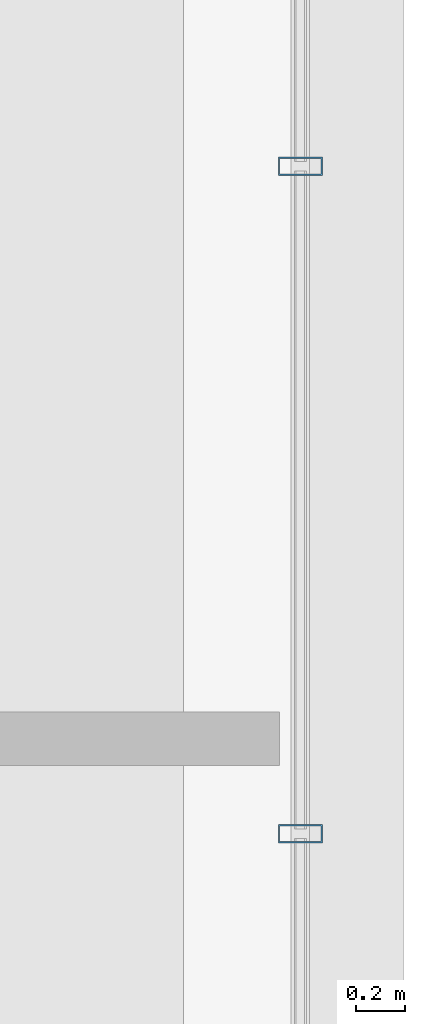
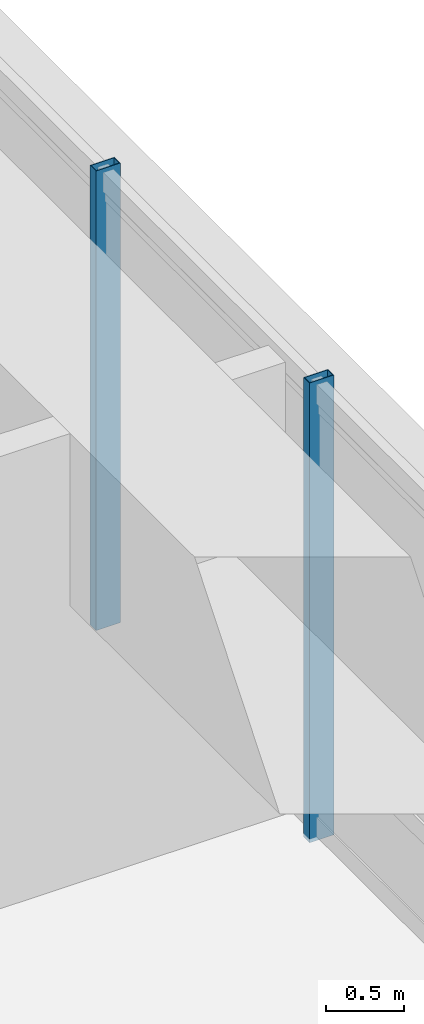
# One storey, part 5 of 15: 2 members, 1 element without a shape of its own.
"""IFC4 building model written with IfcOpenShell, lengths in metres."""

from ifc_helpers import new_model, si_unit, direction, frame, origin, origin_2d, place, context, subcontext, project, spatial, hollow_rectangle, extrude, material, material_profile, profile_set, type_object, element, aggregate, save


model = new_model("IFC4")

# Units and contexts
model_context = context("Model", 3, precision=1e-05, world=origin(), true_north=direction((0.0, 1.0)))
body_context = subcontext(model_context, "Body", "Model", "MODEL_VIEW")
ifc_project = project(units=[si_unit("LENGTHUNIT", "METRE"), si_unit("AREAUNIT", "SQUARE_METRE"), si_unit("VOLUMEUNIT", "CUBIC_METRE"), si_unit("PLANEANGLEUNIT", "RADIAN"), si_unit("MASSUNIT", "GRAM", prefix="KILO")], contexts=[model_context])

# Site, building, storey
site_placement = place(None, origin())
site = spatial("IfcSite", under=ifc_project, at=site_placement, CompositionType="ELEMENT")
building_placement = place(site_placement, origin())
building = spatial("IfcBuilding", under=site, at=building_placement, Name="Zulverin Broadcast Headquarters", CompositionType="ELEMENT")
storey_placement = place(building_placement, frame((0.0, 0.0, 270.60009765625)))
storey = spatial("IfcBuildingStorey", under=building, at=storey_placement, Name="L69", CompositionType="ELEMENT", Elevation=270.60009765625)

# Curtain wall, members
ifc_material_1 = material(Name="High-zone solar-control unitised curtain wall", Category="aluminium")
curtain_wall_type = type_object("IfcCurtainWallType", Name="CW-TWR-UPP", PredefinedType="USERDEFINED", material=ifc_material_1)
curtain_wall_placement = place(storey_placement, origin())
curtain_wall = element("IfcCurtainWall", 1, at=curtain_wall_placement, inside=storey, type_object=curtain_wall_type, Name="L69 Unitised Curtain Wall CW-L69-E3", ObjectType="UNITISED CURTAIN WALL", PredefinedType="USERDEFINED")
ifc_material_2 = material(Name="Anodized pale-metal aluminium alloy 6063-T6", Category="aluminium")
ifc_material_profile = material_profile(ifc_material_2, hollow_rectangle(XDim=0.074951171875, YDim=0.179931640625, WallThickness=0.0048828125, at=origin_2d()), Name="Anodized pale-metal aluminium alloy 6063-T6", Category="aluminium")
ifc_profile_set = profile_set([ifc_material_profile], Name="Anodized pale-metal aluminium alloy 6063-T6")
member_type = type_object("IfcMemberType", Name="CW-MUL-180", PredefinedType="MULLION", material=ifc_profile_set)
member_1_placement = place(storey_placement, frame((65.3798828125, 27.210693359375, -0.030029296875), z_axis=(0.0, 0.0, 1.0), x_axis=(0.0, 1.0, 0.0)))
member_1 = element("IfcMember", 2, at=member_1_placement, type_object=member_type, Name="CW-L69-E3 Mullion 04", PredefinedType="MULLION", context=body_context, shape_type="SweptSolid", body=[
    extrude(hollow_rectangle(XDim=0.074951171875, YDim=0.179931640625, WallThickness=0.0048828125, at=origin_2d()), origin(), (0.0, 0.0, 1.0), 3.599853515625),
])
member_2_placement = place(storey_placement, frame((65.3798828125, 29.94921875, -0.030029296875), z_axis=(0.0, 0.0, 1.0), x_axis=(0.0, 1.0, 0.0)))
member_2 = element("IfcMember", 3, at=member_2_placement, type_object=member_type, Name="CW-L69-E3 Mullion 05", PredefinedType="MULLION", context=body_context, shape_type="SweptSolid", body=[
    extrude(hollow_rectangle(XDim=0.074951171875, YDim=0.179931640625, WallThickness=0.0048828125, at=origin_2d()), origin(), (0.0, 0.0, 1.0), 3.599853515625),
])
aggregate(curtain_wall, [member_1, member_2])

save(model, "model.ifc")
